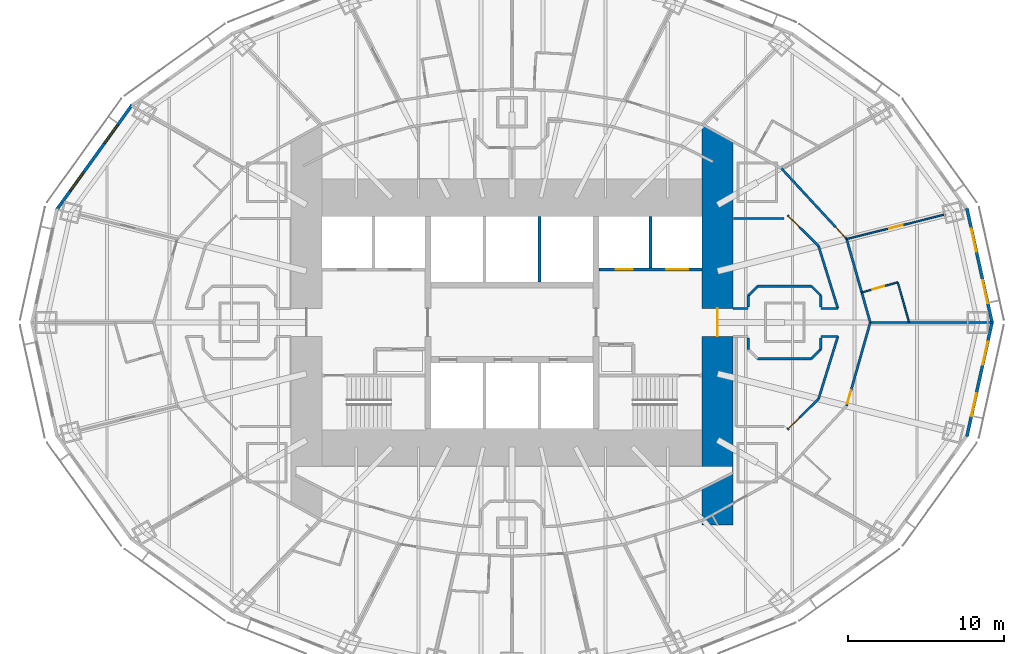
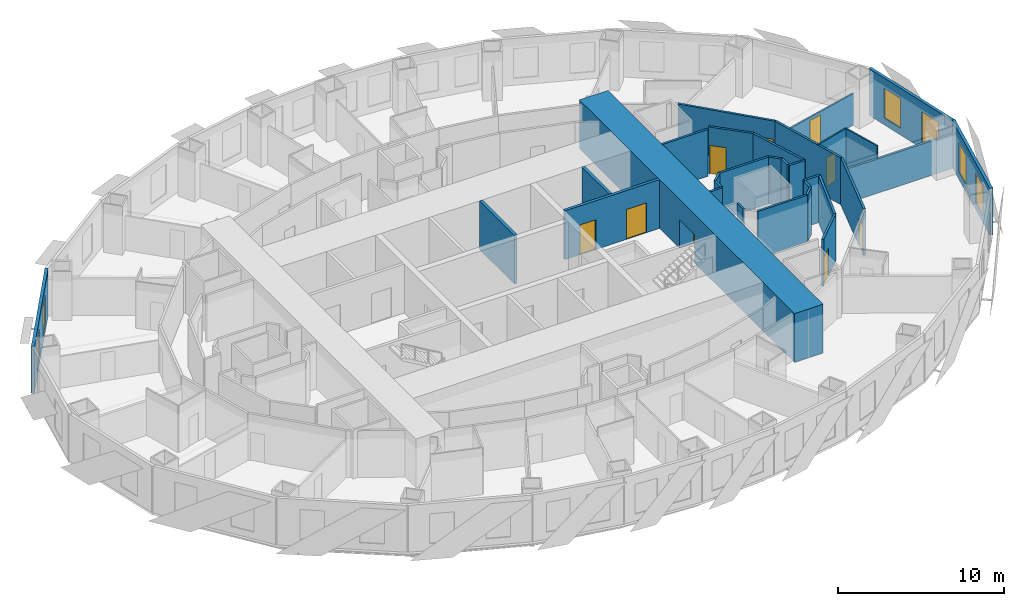
# One storey, part 8 of 15: 31 walls, 9 doors, 6 windows, 15 openings.
"""IFC4 building model written with IfcOpenShell, lengths in metres."""

import ifcopenshell
import ifcopenshell.guid

model = None  # the IFC model being written
_history = None  # IfcOwnerHistory: only IFC2X3 demands one
_inside = {}  # id of a spatial element -> (the spatial element, [elements in it])
_under = {}  # id of a project, library or spatial element -> (it, [spatial elements below it])
_declared = {}  # id of a project -> (the project, [libraries it declares])
_typed = {}  # id of a type object -> (the type object, [elements of that type])
_made_of = {}  # id of a material, layer set ... -> (it, [elements and type objects made of it])


def new_model(schema):
    """Start an empty IFC model of exactly this schema.

    Asked for "IFC4X3", IfcOpenShell would pick the latest addendum, in which some entities
    have other attributes; the version numbers below select the first issue.
    IFC2X3 requires an IfcOwnerHistory on every rooted entity: one is made here for all.
    """
    global model, _history
    if schema == "IFC4X3":
        model = ifcopenshell.file(schema_version=(4, 3, 0, 0))
    else:
        model = ifcopenshell.file(schema=schema)
    _inside.clear()
    _under.clear()
    _declared.clear()
    _typed.clear()
    _made_of.clear()
    _history = None
    if model.schema == "IFC2X3":
        org = make("IfcOrganization", Name="unknown")
        user = make(
            "IfcPersonAndOrganization",
            ThePerson=make("IfcPerson", FamilyName="unknown"),
            TheOrganization=org,
        )
        app = make(
            "IfcApplication",
            ApplicationDeveloper=org,
            Version="unknown",
            ApplicationFullName="unknown",
            ApplicationIdentifier="unknown",
        )
        _history = make(
            "IfcOwnerHistory",
            OwningUser=user,
            OwningApplication=app,
            ChangeAction="ADDED",
            CreationDate=0,
        )
    return model


def make(cls, **values):
    """One entity of the class cls with the attributes given. An attribute that is None is left unset."""
    return model.create_entity(
        cls, **{name: value for name, value in values.items() if value is not None}
    )


def rooted(cls, **values):
    """An entity with a GlobalId (a new one), such as an element, a storey or a relation."""
    return make(cls, GlobalId=ifcopenshell.guid.new(), OwnerHistory=_history, **values)


def si_unit(unit_type, name, prefix=None):
    """IfcSIUnit, for example si_unit("LENGTHUNIT", "METRE", prefix="MILLI")."""
    return make("IfcSIUnit", UnitType=unit_type, Prefix=prefix, Name=name)


def assignment(units):
    """IfcUnitAssignment: the units of a project."""
    return None if units is None else make("IfcUnitAssignment", Units=units)


def point(xyz):
    """IfcCartesianPoint."""
    return None if xyz is None else make("IfcCartesianPoint", Coordinates=xyz)


def direction(xyz):
    """IfcDirection."""
    return None if xyz is None else make("IfcDirection", DirectionRatios=xyz)


def frame(location, z_axis=None, x_axis=None):
    """IfcAxis2Placement3D, a coordinate frame: its origin and axes. An axis left out is left unset."""
    return make(
        "IfcAxis2Placement3D",
        Location=point(location),
        Axis=direction(z_axis),
        RefDirection=direction(x_axis),
    )


def frame_2d(location, x_axis=None):
    """IfcAxis2Placement2D, a coordinate frame in the plane: its origin and x axis."""
    return make(
        "IfcAxis2Placement2D", Location=point(location), RefDirection=direction(x_axis)
    )


def origin():
    """The frame at (0, 0, 0) with its axes left unset."""
    return frame((0.0, 0.0, 0.0))


def place(relative_to, where):
    """IfcLocalPlacement: puts the frame where relative to a parent placement (None: the world)."""
    return make(
        "IfcLocalPlacement", PlacementRelTo=relative_to, RelativePlacement=where
    )


def context(
    kind, dimensions, precision=None, world=None, true_north=None, identifier=None
):
    """IfcGeometricRepresentationContext, for example the 3D "Model" context."""
    return make(
        "IfcGeometricRepresentationContext",
        ContextIdentifier=identifier,
        ContextType=kind,
        CoordinateSpaceDimension=dimensions,
        Precision=precision,
        WorldCoordinateSystem=world,
        TrueNorth=true_north,
    )


def subcontext(parent, identifier, kind, view, scale=None):
    """IfcGeometricRepresentationSubContext, for example "Body" below "Model"."""
    return make(
        "IfcGeometricRepresentationSubContext",
        ContextIdentifier=identifier,
        ContextType=kind,
        ParentContext=parent,
        TargetScale=scale,
        TargetView=view,
    )


def project(units=None, contexts=None):
    """IfcProject with its units and contexts."""
    return rooted(
        "IfcProject",
        Name="project",
        RepresentationContexts=contexts,
        UnitsInContext=assignment(units),
    )


def spatial(cls, under=None, at=None, **own):
    """A site, building, storey or space (cls), placed at a placement, below another one or the project."""
    s = rooted(cls, ObjectPlacement=at, **own)
    if under is not None:
        _under.setdefault(under.id(), (under, []))[1].append(s)
    return s


def profile(cls, at=None, kind="AREA", **sizes):
    """A parametric profile (cls). Its sizes go by their IFC names, for example OverallWidth=200.0."""
    return make(cls, ProfileType=kind, Position=at, **sizes)


def rectangle(**sizes):
    """IfcRectangleProfileDef."""
    return profile("IfcRectangleProfileDef", **sizes)


def extrude(swept, where, along, depth):
    """IfcExtrudedAreaSolid: the profile swept, set in the frame where, extruded along a direction by depth."""
    return make(
        "IfcExtrudedAreaSolid",
        SweptArea=swept,
        Position=where,
        ExtrudedDirection=direction(along),
        Depth=depth,
    )


def shape(context_of_items, identifier, shape_type, items):
    """IfcShapeRepresentation: the items that make up one representation, for example the "Body"."""
    return make(
        "IfcShapeRepresentation",
        ContextOfItems=context_of_items,
        RepresentationIdentifier=identifier,
        RepresentationType=shape_type,
        Items=items,
    )


def material(Name=None, Category=None):
    """IfcMaterial."""
    return make("IfcMaterial", Name=Name, Category=Category)


def layer(
    of_material, thickness, ventilated=None, Name=None, Category=None, Priority=None
):
    """IfcMaterialLayer: one layer of a wall or slab, of a material (None: an air gap)."""
    return make(
        "IfcMaterialLayer",
        Material=of_material,
        LayerThickness=thickness,
        IsVentilated=ventilated,
        Name=Name,
        Category=Category,
        Priority=Priority,
    )


def layer_set(layers, Name=None):
    """IfcMaterialLayerSet."""
    return make("IfcMaterialLayerSet", MaterialLayers=layers, LayerSetName=Name)


def made_of(thing, what):
    """Note that an element or type object is made of a material, layer set ...; save() writes the relation."""
    if what is not None:
        _made_of.setdefault(what.id(), (what, []))[1].append(thing)
    return thing


def type_object(cls, material=None, **own):
    """A type object (cls), such as IfcWallType, which elements share."""
    return made_of(rooted(cls, **own), material)


def element(
    cls,
    number,
    at=None,
    inside=None,
    cuts=None,
    type_object=None,
    material=None,
    context=None,
    identifier="Body",
    shape_type=None,
    held_by="IfcProductDefinitionShape",
    body=None,
    shapes=None,
    **own,
):
    """One element of the class cls, such as IfcWall. Its Tag is "e" and its number.

    at: its placement. inside: the storey or other place that contains it. cuts: it is an
    opening in that element (IfcRelVoidsElement). A single representation is given by context,
    identifier, shape_type and body (its items); several are given by shapes. held_by: the class
    of the entity that holds the representations. save() writes the other relations.
    """
    e = rooted(cls, Tag="e%d" % number, ObjectPlacement=at, **own)
    if body is not None:
        shapes = [shape(context, identifier, shape_type, body)]
    if shapes is not None:
        e.Representation = make(held_by, Representations=shapes)
    if inside is not None:
        _inside.setdefault(inside.id(), (inside, []))[1].append(e)
    if cuts is not None:
        rooted(
            "IfcRelVoidsElement", RelatingBuildingElement=cuts, RelatedOpeningElement=e
        )
    if type_object is not None:
        _typed.setdefault(type_object.id(), (type_object, []))[1].append(e)
    return made_of(e, material)


def fill(opening, filler):
    """IfcRelFillsElement: the door or window that sits in an opening."""
    return rooted(
        "IfcRelFillsElement",
        RelatingOpeningElement=opening,
        RelatedBuildingElement=filler,
    )


def aggregate(whole, parts):
    """IfcRelAggregates: a whole, such as a stair, and the parts it consists of."""
    return rooted("IfcRelAggregates", RelatingObject=whole, RelatedObjects=parts)


def save(model, path):
    """Write the relations noted so far, then the file.

    IfcRelAggregates (storeys below a building ...), IfcRelContainedInSpatialStructure (elements
    in a storey), IfcRelDefinesByType, IfcRelAssociatesMaterial and IfcRelDeclares: one each for
    every whole, place, type object, material and project.
    """
    for whole, parts in _under.values():
        aggregate(whole, parts)
    for where, things in _inside.values():
        rooted(
            "IfcRelContainedInSpatialStructure",
            RelatedElements=things,
            RelatingStructure=where,
        )
    for kind, things in _typed.values():
        rooted("IfcRelDefinesByType", RelatedObjects=things, RelatingType=kind)
    for what, things in _made_of.values():
        rooted("IfcRelAssociatesMaterial", RelatedObjects=things, RelatingMaterial=what)
    for by, libraries in _declared.values():
        rooted("IfcRelDeclares", RelatingContext=by, RelatedDefinitions=libraries)
    model.write(path)


model = new_model("IFC4")

# Units and contexts
model_context = context("Model", 3, precision=1e-05, world=origin(), true_north=direction((0.0, 1.0)))
body_context = subcontext(model_context, "Body", "Model", "MODEL_VIEW")
ifc_project = project(units=[si_unit("LENGTHUNIT", "METRE"), si_unit("AREAUNIT", "SQUARE_METRE"), si_unit("VOLUMEUNIT", "CUBIC_METRE"), si_unit("PLANEANGLEUNIT", "RADIAN"), si_unit("MASSUNIT", "GRAM", prefix="KILO")], contexts=[model_context])

# Site, building, storey
site_placement = place(None, origin())
site = spatial("IfcSite", under=ifc_project, at=site_placement, CompositionType="ELEMENT")
building_placement = place(site_placement, origin())
building = spatial("IfcBuilding", under=site, at=building_placement, Name="Lantaw Convention Tower", CompositionType="ELEMENT")
storey_placement = place(building_placement, frame((0.0, 0.0, 98.199951171875)))
storey = spatial("IfcBuildingStorey", under=building, at=storey_placement, Name="L23", CompositionType="ELEMENT", Elevation=98.199951171875)

# Wall, opening, door
ifc_material_1 = material(Name="Moisture resistant gypsum board on steel studs", Category="steel")
ifc_layer_1 = layer(ifc_material_1, 0.10009765625)
ifc_layer_set_1 = layer_set([ifc_layer_1], Name="Bathroom wall 100")
wall_type_1 = type_object("IfcWallType", Name="Bathroom wall 100", PredefinedType="PARTITIONING", material=ifc_layer_set_1)
wall_1_placement = place(storey_placement, frame((22.455078125, 1.92431640625, 0.0), z_axis=(0.0, 0.0, 1.0), x_axis=(0.962181399457, 0.272409534596, 0.0)))
wall_1 = element("IfcWall", 1, at=wall_1_placement, inside=storey, type_object=wall_type_1, Name="Bathroom wall 100", PredefinedType="PARTITIONING", context=body_context, shape_type="SweptSolid", body=[
    extrude(rectangle(XDim=2.400146484375, YDim=0.10009765625, at=frame_2d((1.2001953125, 0.0))), origin(), (0.0, 0.0, 1.0), 3.449951171875),
])
opening_1_placement = place(wall_1_placement, frame((0.699951171875, 0.0, 0.0)))
opening_1 = element("IfcOpeningElement", 2, at=opening_1_placement, cuts=wall_1, Name="Opening L23.26", PredefinedType="OPENING", context=body_context, shape_type="SweptSolid", body=[
    extrude(rectangle(XDim=0.800048828125, YDim=2.10009765625, at=frame_2d((0.39990234375, 1.050048828125))), frame((0.0, 0.06005859375, 0.0), z_axis=(0.0, -1.0, 0.0), x_axis=(1.0, 0.0, 0.0)), (0.0, 0.0, 1.0), 0.1201171875),
])
ifc_material_2 = material(Name="Timber", Category="wood")
door_type_1 = type_object("IfcDoorType", Name="Bathroom door 800", OperationType="SINGLE_SWING_LEFT", PredefinedType="DOOR", material=ifc_material_2)
door_1_placement = place(opening_1_placement, origin())
door_1 = element("IfcDoor", 3, at=door_1_placement, inside=storey, type_object=door_type_1, Name="Bathroom door", OperationType="SINGLE_SWING_LEFT", OverallHeight=2.10009765625, OverallWidth=0.800048828125, PredefinedType="DOOR", context=body_context, shape_type="SweptSolid", body=[
    extrude(rectangle(XDim=0.800048828125, YDim=2.10009765625, at=frame_2d((0.39990234375, 1.050048828125))), frame((0.0, 0.02490234375, 0.0), z_axis=(0.0, -1.0, 0.0), x_axis=(1.0, 0.0, 0.0)), (0.0, 0.0, 1.0), 0.050048828125),
])
fill(opening_1, door_1)

# Wall
wall_2_placement = place(storey_placement, frame((24.764404296875, 2.578125, 0.0), z_axis=(0.0, 0.0, 1.0), x_axis=(0.272433880153, -0.962174506493, 0.0)))
element("IfcWall", 4, at=wall_2_placement, inside=storey, type_object=wall_type_1, Name="Bathroom wall 100", PredefinedType="PARTITIONING", context=body_context, shape_type="SweptSolid", body=[
    extrude(rectangle(XDim=2.679443359375, YDim=0.10009765625, at=frame_2d((1.33984375, 0.0))), origin(), (0.0, 0.0, 1.0), 3.449951171875),
])

# Wall, opening, door
ifc_material_3 = material(Name="Concrete C60/75", Category="concrete")
ifc_layer_2 = layer(ifc_material_3, 2.0)
ifc_layer_set_2 = layer_set([ifc_layer_2], Name="Core wall 2000")
wall_type_2 = type_object("IfcWallType", Name="Core wall 2000", PredefinedType="SHEAR", material=ifc_layer_set_2)
wall_3_placement = place(storey_placement, frame((13.199951171875, -13.0, 0.0), z_axis=(0.0, 0.0, 1.0), x_axis=(0.0, 1.0, 0.0)))
wall_3 = element("IfcWall", 5, at=wall_3_placement, inside=storey, type_object=wall_type_2, Name="Core wall E", PredefinedType="SHEAR", context=body_context, shape_type="SweptSolid", body=[
    extrude(rectangle(XDim=26.0, YDim=2.0, at=frame_2d((13.0, 0.0))), origin(), (0.0, 0.0, 1.0), 3.60009765625),
])
opening_2_placement = place(wall_3_placement, frame((12.10009765625, 0.0, 0.0)))
opening_2 = element("IfcOpeningElement", 6, at=opening_2_placement, cuts=wall_3, Name="Opening L23.07", PredefinedType="OPENING", context=body_context, shape_type="SweptSolid", body=[
    extrude(rectangle(XDim=1.800048828125, YDim=2.10009765625, at=frame_2d((0.89990234375, 1.050048828125))), frame((0.0, 1.010009765625, 0.0), z_axis=(0.0, -1.0, 0.0), x_axis=(1.0, 0.0, 0.0)), (0.0, 0.0, 1.0), 2.02001953125),
])
ifc_material_4 = material(Name="Steel, fire rated", Category="steel")
door_type_2 = type_object("IfcDoorType", Name="Lobby double door FD90", OperationType="DOUBLE_DOOR_DOUBLE_SWING", PredefinedType="DOOR", material=ifc_material_4)
door_2_placement = place(opening_2_placement, origin())
door_2 = element("IfcDoor", 7, at=door_2_placement, inside=storey, type_object=door_type_2, Name="Firefighting lobby door", OperationType="DOUBLE_DOOR_DOUBLE_SWING", OverallHeight=2.10009765625, OverallWidth=1.800048828125, PredefinedType="DOOR", context=body_context, shape_type="SweptSolid", body=[
    extrude(rectangle(XDim=1.800048828125, YDim=2.10009765625, at=frame_2d((0.89990234375, 1.050048828125))), frame((0.0, 0.02490234375, 0.0), z_axis=(0.0, -1.0, 0.0), x_axis=(1.0, 0.0, 0.0)), (0.0, 0.0, 1.0), 0.050048828125),
])
fill(opening_2, door_2)

# Wall
ifc_material_5 = material(Name="Gypsum board on steel studs, fire rated", Category="steel")
ifc_layer_3 = layer(ifc_material_5, 0.14990234375)
ifc_layer_set_3 = layer_set([ifc_layer_3], Name="Corridor wall 150 EI 60")
wall_type_3 = type_object("IfcWallType", Name="Corridor wall 150 EI 60", PredefinedType="PARTITIONING", material=ifc_layer_set_3)
wall_4_placement = place(storey_placement, frame((23.0, 0.0, 0.0), z_axis=(0.0, 0.0, 1.0), x_axis=(-0.272386051236, 0.962188047677, 0.0)))
element("IfcWall", 8, at=wall_4_placement, inside=storey, type_object=wall_type_3, Name="Corridor wall 150", PredefinedType="PARTITIONING", context=body_context, shape_type="SweptSolid", body=[
    extrude(rectangle(XDim=5.56689453125, YDim=0.14990234375, at=frame_2d((2.783447265625, 0.0))), origin(), (0.0, 0.0, 1.0), 3.449951171875),
])

# Wall, opening, door
wall_5_placement = place(storey_placement, frame((21.483642578125, 5.3564453125, 0.0), z_axis=(0.0, 0.0, 1.0), x_axis=(-0.678641806296, 0.734469399463, 0.0)))
wall_5 = element("IfcWall", 9, at=wall_5_placement, inside=storey, type_object=wall_type_3, Name="Corridor wall 150", PredefinedType="PARTITIONING", context=body_context, shape_type="SweptSolid", body=[
    extrude(rectangle(XDim=6.166015625, YDim=0.14990234375, at=frame_2d((3.0830078125, 0.0))), origin(), (0.0, 0.0, 1.0), 3.449951171875),
])
opening_3_placement = place(wall_5_placement, frame((0.14990234375, 0.0, 0.0)))
opening_3 = element("IfcOpeningElement", 10, at=opening_3_placement, cuts=wall_5, Name="Opening L23.28", PredefinedType="OPENING", context=body_context, shape_type="SweptSolid", body=[
    extrude(rectangle(XDim=0.89990234375, YDim=2.10009765625, at=frame_2d((0.449951171875, 1.050048828125))), frame((0.0, 0.0849609375, 0.0), z_axis=(0.0, -1.0, 0.0), x_axis=(1.0, 0.0, 0.0)), (0.0, 0.0, 1.0), 0.169921875),
])
door_type_3 = type_object("IfcDoorType", Name="Guest room entrance door FD30S", OperationType="SINGLE_SWING_LEFT", PredefinedType="DOOR", material=ifc_material_4)
door_3_placement = place(opening_3_placement, origin())
door_3 = element("IfcDoor", 11, at=door_3_placement, inside=storey, type_object=door_type_3, Name="Suite entrance door", OperationType="SINGLE_SWING_LEFT", OverallHeight=2.10009765625, OverallWidth=0.89990234375, PredefinedType="DOOR", context=body_context, shape_type="SweptSolid", body=[
    extrude(rectangle(XDim=0.89990234375, YDim=2.10009765625, at=frame_2d((0.449951171875, 1.050048828125))), frame((0.0, 0.02490234375, 0.0), z_axis=(0.0, -1.0, 0.0), x_axis=(1.0, 0.0, 0.0)), (0.0, 0.0, 1.0), 0.050048828125),
])
fill(opening_3, door_3)

wall_6_placement = place(storey_placement, frame((21.483642578125, -5.3564453125, 0.0), z_axis=(0.0, 0.0, 1.0), x_axis=(0.272386051236, 0.962188047677, 0.0)))
wall_6 = element("IfcWall", 12, at=wall_6_placement, inside=storey, type_object=wall_type_3, Name="Corridor wall 150", PredefinedType="PARTITIONING", context=body_context, shape_type="SweptSolid", body=[
    extrude(rectangle(XDim=5.56689453125, YDim=0.14990234375, at=frame_2d((2.783447265625, 0.0))), origin(), (0.0, 0.0, 1.0), 3.449951171875),
])
opening_4_placement = place(wall_6_placement, frame((0.14990234375, 0.0, 0.0)))
opening_4 = element("IfcOpeningElement", 13, at=opening_4_placement, cuts=wall_6, Name="Opening L23.57", PredefinedType="OPENING", context=body_context, shape_type="SweptSolid", body=[
    extrude(rectangle(XDim=0.89990234375, YDim=2.10009765625, at=frame_2d((0.449951171875, 1.050048828125))), frame((0.0, 0.0849609375, 0.0), z_axis=(0.0, -1.0, 0.0), x_axis=(1.0, 0.0, 0.0)), (0.0, 0.0, 1.0), 0.169921875),
])
door_4_placement = place(opening_4_placement, origin())
door_4 = element("IfcDoor", 14, at=door_4_placement, inside=storey, type_object=door_type_3, Name="Junior suite entrance door", OperationType="SINGLE_SWING_LEFT", OverallHeight=2.10009765625, OverallWidth=0.89990234375, PredefinedType="DOOR", context=body_context, shape_type="SweptSolid", body=[
    extrude(rectangle(XDim=0.89990234375, YDim=2.10009765625, at=frame_2d((0.449951171875, 1.050048828125))), frame((0.0, 0.02490234375, 0.0), z_axis=(0.0, -1.0, 0.0), x_axis=(1.0, 0.0, 0.0)), (0.0, 0.0, 1.0), 0.050048828125),
])
fill(opening_4, door_4)

# Walls
for number, where, z_axis, x_axis, name in (
    (15, (20.92138671875, 0.89990234375, 0.0), (0.0, 0.0, 1.0), (-0.295778570807, 0.955256529447, 0.0), "Corridor wall 150"),
    (16, (19.6806640625, -4.906982421875, 0.0), (0.0, 0.0, 1.0), (0.295778570807, 0.955256529447, 0.0), "Corridor wall 150"),
):
    element("IfcWall", number, at=place(storey_placement, frame(where, z_axis=z_axis, x_axis=x_axis)), inside=storey, type_object=wall_type_3, Name=name, PredefinedType="PARTITIONING", context=body_context, shape_type="SweptSolid", body=[
        extrude(rectangle(XDim=4.19482421875, YDim=0.14990234375, at=frame_2d((2.097412109375, 0.0))), origin(), (0.0, 0.0, 1.0), 3.449951171875),
    ])

# Wall, opening, door
wall_7_placement = place(storey_placement, frame((17.690185546875, -6.87646484375, 0.0), z_axis=(0.0, 0.0, 1.0), x_axis=(0.710845937688, 0.70334774676, 0.0)))
wall_7 = element("IfcWall", 17, at=wall_7_placement, inside=storey, type_object=wall_type_3, Name="Corridor wall 150", PredefinedType="PARTITIONING", context=body_context, shape_type="SweptSolid", body=[
    extrude(rectangle(XDim=2.800048828125, YDim=0.14990234375, at=frame_2d((1.39990234375, 0.0))), origin(), (0.0, 0.0, 1.0), 3.449951171875),
])
opening_5_placement = place(wall_7_placement, frame((0.10009765625, 0.0, 0.0)))
opening_5 = element("IfcOpeningElement", 18, at=opening_5_placement, cuts=wall_7, Name="Opening L23.25", PredefinedType="OPENING", context=body_context, shape_type="SweptSolid", body=[
    extrude(rectangle(XDim=1.0, YDim=2.10009765625, at=frame_2d((0.5, 1.050048828125))), frame((0.0, 0.0849609375, 0.0), z_axis=(0.0, -1.0, 0.0), x_axis=(1.0, 0.0, 0.0)), (0.0, 0.0, 1.0), 0.169921875),
])
door_type_4 = type_object("IfcDoorType", Name="Service door 1000 FD30", OperationType="SINGLE_SWING_LEFT", PredefinedType="DOOR", material=ifc_material_4)
door_5_placement = place(opening_5_placement, origin())
door_5 = element("IfcDoor", 19, at=door_5_placement, inside=storey, type_object=door_type_4, Name="Room service pantry door", OperationType="SINGLE_SWING_LEFT", OverallHeight=2.10009765625, OverallWidth=1.0, PredefinedType="DOOR", context=body_context, shape_type="SweptSolid", body=[
    extrude(rectangle(XDim=1.0, YDim=2.10009765625, at=frame_2d((0.5, 1.050048828125))), frame((0.0, 0.02490234375, 0.0), z_axis=(0.0, -1.0, 0.0), x_axis=(1.0, 0.0, 0.0)), (0.0, 0.0, 1.0), 0.050048828125),
])
fill(opening_5, door_5)

wall_8_placement = place(storey_placement, frame((19.6806640625, 4.906982421875, 0.0), z_axis=(0.0, 0.0, 1.0), x_axis=(-0.710845937688, 0.70334774676, 0.0)))
wall_8 = element("IfcWall", 20, at=wall_8_placement, inside=storey, type_object=wall_type_3, Name="Corridor wall 150", PredefinedType="PARTITIONING", context=body_context, shape_type="SweptSolid", body=[
    extrude(rectangle(XDim=2.800048828125, YDim=0.14990234375, at=frame_2d((1.39990234375, 0.0))), origin(), (0.0, 0.0, 1.0), 3.449951171875),
])
opening_6_placement = place(wall_8_placement, frame((1.699951171875, 0.0, 0.0)))
opening_6 = element("IfcOpeningElement", 21, at=opening_6_placement, cuts=wall_8, Name="Opening L23.17", PredefinedType="OPENING", context=body_context, shape_type="SweptSolid", body=[
    extrude(rectangle(XDim=1.0, YDim=2.10009765625, at=frame_2d((0.5, 1.050048828125))), frame((0.0, 0.0849609375, 0.0), z_axis=(0.0, -1.0, 0.0), x_axis=(1.0, 0.0, 0.0)), (0.0, 0.0, 1.0), 0.169921875),
])
door_6_placement = place(opening_6_placement, origin())
door_6 = element("IfcDoor", 22, at=door_6_placement, inside=storey, type_object=door_type_4, Name="Linen store door", OperationType="SINGLE_SWING_LEFT", OverallHeight=2.10009765625, OverallWidth=1.0, PredefinedType="DOOR", context=body_context, shape_type="SweptSolid", body=[
    extrude(rectangle(XDim=1.0, YDim=2.10009765625, at=frame_2d((0.5, 1.050048828125))), frame((0.0, 0.02490234375, 0.0), z_axis=(0.0, -1.0, 0.0), x_axis=(1.0, 0.0, 0.0)), (0.0, 0.0, 1.0), 0.050048828125),
])
fill(opening_6, door_6)

# Walls
wall_9_placement = place(storey_placement, frame((17.474609375, 6.675048828125, 0.0), z_axis=(0.0, 0.0, 1.0), x_axis=(-1.0, 0.0, 0.0)))
element("IfcWall", 23, at=wall_9_placement, inside=storey, type_object=wall_type_3, Name="Corridor wall 150", PredefinedType="PARTITIONING", context=body_context, shape_type="SweptSolid", body=[
    extrude(rectangle(XDim=3.24462890625, YDim=0.14990234375, at=frame_2d((1.622314453125, 0.0))), origin(), (0.0, 0.0, 1.0), 3.449951171875),
])
wall_10_placement = place(storey_placement, frame((19.8349609375, -0.89990234375, 0.0), z_axis=(0.0, 0.0, 1.0), x_axis=(1.0, 0.0, 0.0)))
element("IfcWall", 24, at=wall_10_placement, inside=storey, type_object=wall_type_3, Name="Corridor wall 150", PredefinedType="PARTITIONING", context=body_context, shape_type="SweptSolid", body=[
    extrude(rectangle(XDim=1.08642578125, YDim=0.14990234375, at=frame_2d((0.543212890625, 0.0))), origin(), (0.0, 0.0, 1.0), 3.449951171875),
])
wall_11_placement = place(storey_placement, frame((14.199951171875, 0.89990234375, 0.0), z_axis=(0.0, 0.0, 1.0), x_axis=(1.0, 0.0, 0.0)))
element("IfcWall", 25, at=wall_11_placement, inside=storey, type_object=wall_type_3, Name="Corridor wall 150", PredefinedType="PARTITIONING", context=body_context, shape_type="SweptSolid", body=[
    extrude(rectangle(XDim=0.965087890625, YDim=0.14990234375, at=frame_2d((0.482421875, 0.0))), origin(), (0.0, 0.0, 1.0), 3.449951171875),
])
wall_12_placement = place(storey_placement, frame((19.8349609375, 0.89990234375, 0.0), z_axis=(0.0, 0.0, 1.0), x_axis=(1.0, 0.0, 0.0)))
element("IfcWall", 26, at=wall_12_placement, inside=storey, type_object=wall_type_3, Name="Corridor wall 150", PredefinedType="PARTITIONING", context=body_context, shape_type="SweptSolid", body=[
    extrude(rectangle(XDim=1.08642578125, YDim=0.14990234375, at=frame_2d((0.543212890625, 0.0))), origin(), (0.0, 0.0, 1.0), 3.449951171875),
])
wall_13_placement = place(storey_placement, frame((15.175048828125, 1.003173828125, 0.0), z_axis=(0.0, 0.0, 1.0), x_axis=(0.0, 1.0, 0.0)))
element("IfcWall", 27, at=wall_13_placement, inside=storey, type_object=wall_type_3, Name="Corridor wall 150", PredefinedType="PARTITIONING", context=body_context, shape_type="SweptSolid", body=[
    extrude(rectangle(XDim=0.721435546875, YDim=0.14990234375, at=frame_2d((0.36083984375, 0.0))), origin(), (0.0, 0.0, 1.0), 3.449951171875),
])
wall_14_placement = place(storey_placement, frame((15.175048828125, 1.724609375, 0.0), z_axis=(0.0, 0.0, 1.0), x_axis=(0.707106781187, 0.707106781187, 0.0)))
element("IfcWall", 28, at=wall_14_placement, inside=storey, type_object=wall_type_3, Name="Corridor wall 150", PredefinedType="PARTITIONING", context=body_context, shape_type="SweptSolid", body=[
    extrude(rectangle(XDim=0.84912109375, YDim=0.14990234375, at=frame_2d((0.424560546875, 0.0))), origin(), (0.0, 0.0, 1.0), 3.449951171875),
])
wall_15_placement = place(storey_placement, frame((15.775390625, 2.324951171875, 0.0), z_axis=(0.0, 0.0, 1.0), x_axis=(1.0, 0.0, 0.0)))
element("IfcWall", 29, at=wall_15_placement, inside=storey, type_object=wall_type_3, Name="Corridor wall 150", PredefinedType="PARTITIONING", context=body_context, shape_type="SweptSolid", body=[
    extrude(rectangle(XDim=3.44921875, YDim=0.14990234375, at=frame_2d((1.724609375, 0.0))), origin(), (0.0, 0.0, 1.0), 3.449951171875),
])
wall_16_placement = place(storey_placement, frame((19.224609375, 2.324951171875, 0.0), z_axis=(0.0, 0.0, 1.0), x_axis=(0.707106781187, -0.707106781187, 0.0)))
element("IfcWall", 30, at=wall_16_placement, inside=storey, type_object=wall_type_3, Name="Corridor wall 150", PredefinedType="PARTITIONING", context=body_context, shape_type="SweptSolid", body=[
    extrude(rectangle(XDim=0.84912109375, YDim=0.14990234375, at=frame_2d((0.424560546875, 0.0))), origin(), (0.0, 0.0, 1.0), 3.449951171875),
])
for number, where, z_axis, x_axis, name in (
    (31, (19.824951171875, 1.724609375, 0.0), (0.0, 0.0, 1.0), (0.0, -1.0, 0.0), "Corridor wall 150"),
    (32, (15.175048828125, -1.724609375, 0.0), (0.0, 0.0, 1.0), (0.0, 1.0, 0.0), "Corridor wall 150"),
    (33, (19.824951171875, -1.003173828125, 0.0), (0.0, 0.0, 1.0), (0.0, -1.0, 0.0), "Corridor wall 150"),
):
    element("IfcWall", number, at=place(storey_placement, frame(where, z_axis=z_axis, x_axis=x_axis)), inside=storey, type_object=wall_type_3, Name=name, PredefinedType="PARTITIONING", context=body_context, shape_type="SweptSolid", body=[
        extrude(rectangle(XDim=0.721435546875, YDim=0.14990234375, at=frame_2d((0.36083984375, 0.0))), origin(), (0.0, 0.0, 1.0), 3.449951171875),
    ])
wall_17_placement = place(storey_placement, frame((19.824951171875, -1.724609375, 0.0), z_axis=(0.0, 0.0, 1.0), x_axis=(-0.707106781187, -0.707106781187, 0.0)))
element("IfcWall", 34, at=wall_17_placement, inside=storey, type_object=wall_type_3, Name="Corridor wall 150", PredefinedType="PARTITIONING", context=body_context, shape_type="SweptSolid", body=[
    extrude(rectangle(XDim=0.84912109375, YDim=0.14990234375, at=frame_2d((0.424560546875, 0.0))), origin(), (0.0, 0.0, 1.0), 3.449951171875),
])
wall_18_placement = place(storey_placement, frame((19.224609375, -2.324951171875, 0.0), z_axis=(0.0, 0.0, 1.0), x_axis=(-1.0, 0.0, 0.0)))
element("IfcWall", 35, at=wall_18_placement, inside=storey, type_object=wall_type_3, Name="Corridor wall 150", PredefinedType="PARTITIONING", context=body_context, shape_type="SweptSolid", body=[
    extrude(rectangle(XDim=3.44921875, YDim=0.14990234375, at=frame_2d((1.724609375, 0.0))), origin(), (0.0, 0.0, 1.0), 3.449951171875),
])

# Wall, openings, windows
ifc_material_6 = material(Name="Insulated aluminium panel on steel frame", Category="steel")
ifc_layer_4 = layer(ifc_material_6, 0.199951171875)
ifc_layer_set_4 = layer_set([ifc_layer_4], Name="External wall 200")
wall_type_4 = type_object("IfcWallType", Name="External wall 200", PredefinedType="SOLIDWALL", material=ifc_layer_set_4)
wall_19_placement = place(storey_placement, frame((30.83544921875, -0.06689453125, 0.0), z_axis=(0.0, 0.0, 1.0), x_axis=(-0.215238065514, 0.976561608478, 0.0)))
wall_19 = element("IfcWall", 36, at=wall_19_placement, inside=storey, type_object=wall_type_4, Name="Facade panel wall", PredefinedType="SOLIDWALL", context=body_context, shape_type="SweptSolid", body=[
    extrude(rectangle(XDim=7.562255859375, YDim=0.199951171875, at=frame_2d((3.78125, 0.0))), origin(), (0.0, 0.0, 1.0), 3.449951171875),
])
opening_7_placement = place(wall_19_placement, frame((1.340576171875, 0.0, 0.5)))
opening_7 = element("IfcOpeningElement", 37, at=opening_7_placement, cuts=wall_19, Name="Opening W2", PredefinedType="OPENING", context=body_context, shape_type="SweptSolid", body=[
    extrude(rectangle(XDim=1.5, YDim=2.199951171875, at=frame_2d((0.75, 1.10009765625))), frame((0.0, 0.10986328125, 0.0), z_axis=(0.0, -1.0, 0.0), x_axis=(1.0, 0.0, 0.0)), (0.0, 0.0, 1.0), 0.219970703125),
])
opening_8_placement = place(wall_19_placement, frame((4.7216796875, 0.0, 0.5)))
opening_8 = element("IfcOpeningElement", 38, at=opening_8_placement, cuts=wall_19, Name="Opening W2", PredefinedType="OPENING", context=body_context, shape_type="SweptSolid", body=[
    extrude(rectangle(XDim=1.5, YDim=2.199951171875, at=frame_2d((0.75, 1.10009765625))), frame((0.0, 0.10986328125, 0.0), z_axis=(0.0, -1.0, 0.0), x_axis=(1.0, 0.0, 0.0)), (0.0, 0.0, 1.0), 0.219970703125),
])
ifc_material_7 = material(Name="Aluminium frame, clear insulating glass", Category="aluminium")
window_type = type_object("IfcWindowType", Name="Suite window 1500x2200", PartitioningType="SINGLE_PANEL", PredefinedType="WINDOW", material=ifc_material_7)
window_1_placement = place(opening_7_placement, origin())
window_1 = element("IfcWindow", 39, at=window_1_placement, inside=storey, type_object=window_type, Name="Guest room window", OverallHeight=2.199951171875, OverallWidth=1.5, PartitioningType="SINGLE_PANEL", PredefinedType="WINDOW", context=body_context, shape_type="SweptSolid", body=[
    extrude(rectangle(XDim=1.5, YDim=2.199951171875, at=frame_2d((0.75, 1.10009765625))), frame((0.0, 0.030029296875, 0.0), z_axis=(0.0, -1.0, 0.0), x_axis=(1.0, 0.0, 0.0)), (0.0, 0.0, 1.0), 0.06005859375),
])
fill(opening_7, window_1)
window_2_placement = place(opening_8_placement, origin())
window_2 = element("IfcWindow", 40, at=window_2_placement, inside=storey, type_object=window_type, Name="Guest room window", OverallHeight=2.199951171875, OverallWidth=1.5, PartitioningType="SINGLE_PANEL", PredefinedType="WINDOW", context=body_context, shape_type="SweptSolid", body=[
    extrude(rectangle(XDim=1.5, YDim=2.199951171875, at=frame_2d((0.75, 1.10009765625))), frame((0.0, 0.030029296875, 0.0), z_axis=(0.0, -1.0, 0.0), x_axis=(1.0, 0.0, 0.0)), (0.0, 0.0, 1.0), 0.06005859375),
])
fill(opening_8, window_2)

wall_20_placement = place(storey_placement, frame((-24.400390625, 13.95654296875, 0.0), z_axis=(0.0, 0.0, 1.0), x_axis=(-0.583937613703, -0.811798536155, 0.0)))
wall_20 = element("IfcWall", 41, at=wall_20_placement, inside=storey, type_object=wall_type_4, Name="Facade panel wall", PredefinedType="SOLIDWALL", context=body_context, shape_type="SweptSolid", body=[
    extrude(rectangle(XDim=8.322998046875, YDim=0.199951171875, at=frame_2d((4.16162109375, 0.0))), origin(), (0.0, 0.0, 1.0), 3.449951171875),
])
opening_9_placement = place(wall_20_placement, frame((1.53076171875, 0.0, 0.5)))
opening_9 = element("IfcOpeningElement", 42, at=opening_9_placement, cuts=wall_20, Name="Opening W2", PredefinedType="OPENING", context=body_context, shape_type="SweptSolid", body=[
    extrude(rectangle(XDim=1.5, YDim=2.199951171875, at=frame_2d((0.75, 1.10009765625))), frame((0.0, 0.10986328125, 0.0), z_axis=(0.0, -1.0, 0.0), x_axis=(1.0, 0.0, 0.0)), (0.0, 0.0, 1.0), 0.219970703125),
])
opening_10_placement = place(wall_20_placement, frame((5.292236328125, 0.0, 0.5)))
opening_10 = element("IfcOpeningElement", 43, at=opening_10_placement, cuts=wall_20, Name="Opening W2", PredefinedType="OPENING", context=body_context, shape_type="SweptSolid", body=[
    extrude(rectangle(XDim=1.5, YDim=2.199951171875, at=frame_2d((0.75, 1.10009765625))), frame((0.0, 0.10986328125, 0.0), z_axis=(0.0, -1.0, 0.0), x_axis=(1.0, 0.0, 0.0)), (0.0, 0.0, 1.0), 0.219970703125),
])
window_3_placement = place(opening_9_placement, origin())
window_3 = element("IfcWindow", 44, at=window_3_placement, inside=storey, type_object=window_type, Name="Guest room window", OverallHeight=2.199951171875, OverallWidth=1.5, PartitioningType="SINGLE_PANEL", PredefinedType="WINDOW", context=body_context, shape_type="SweptSolid", body=[
    extrude(rectangle(XDim=1.5, YDim=2.199951171875, at=frame_2d((0.75, 1.10009765625))), frame((0.0, 0.030029296875, 0.0), z_axis=(0.0, -1.0, 0.0), x_axis=(1.0, 0.0, 0.0)), (0.0, 0.0, 1.0), 0.06005859375),
])
fill(opening_9, window_3)
window_4_placement = place(opening_10_placement, origin())
window_4 = element("IfcWindow", 45, at=window_4_placement, inside=storey, type_object=window_type, Name="Guest room window", OverallHeight=2.199951171875, OverallWidth=1.5, PartitioningType="SINGLE_PANEL", PredefinedType="WINDOW", context=body_context, shape_type="SweptSolid", body=[
    extrude(rectangle(XDim=1.5, YDim=2.199951171875, at=frame_2d((0.75, 1.10009765625))), frame((0.0, 0.030029296875, 0.0), z_axis=(0.0, -1.0, 0.0), x_axis=(1.0, 0.0, 0.0)), (0.0, 0.0, 1.0), 0.06005859375),
])
fill(opening_10, window_4)

wall_21_placement = place(storey_placement, frame((29.207763671875, -7.318115234375, 0.0), z_axis=(0.0, 0.0, 1.0), x_axis=(0.215238065514, 0.976561608478, 0.0)))
wall_21 = element("IfcWall", 46, at=wall_21_placement, inside=storey, type_object=wall_type_4, Name="Facade panel wall", PredefinedType="SOLIDWALL", context=body_context, shape_type="SweptSolid", body=[
    extrude(rectangle(XDim=7.562255859375, YDim=0.199951171875, at=frame_2d((3.78125, 0.0))), origin(), (0.0, 0.0, 1.0), 3.449951171875),
])
opening_11_placement = place(wall_21_placement, frame((1.340576171875, 0.0, 0.5)))
opening_11 = element("IfcOpeningElement", 47, at=opening_11_placement, cuts=wall_21, Name="Opening W2", PredefinedType="OPENING", context=body_context, shape_type="SweptSolid", body=[
    extrude(rectangle(XDim=1.5, YDim=2.199951171875, at=frame_2d((0.75, 1.10009765625))), frame((0.0, 0.10986328125, 0.0), z_axis=(0.0, -1.0, 0.0), x_axis=(1.0, 0.0, 0.0)), (0.0, 0.0, 1.0), 0.219970703125),
])
opening_12_placement = place(wall_21_placement, frame((4.7216796875, 0.0, 0.5)))
opening_12 = element("IfcOpeningElement", 48, at=opening_12_placement, cuts=wall_21, Name="Opening W2", PredefinedType="OPENING", context=body_context, shape_type="SweptSolid", body=[
    extrude(rectangle(XDim=1.5, YDim=2.199951171875, at=frame_2d((0.75, 1.10009765625))), frame((0.0, 0.10986328125, 0.0), z_axis=(0.0, -1.0, 0.0), x_axis=(1.0, 0.0, 0.0)), (0.0, 0.0, 1.0), 0.219970703125),
])
window_5_placement = place(opening_11_placement, origin())
window_5 = element("IfcWindow", 49, at=window_5_placement, inside=storey, type_object=window_type, Name="Guest room window", OverallHeight=2.199951171875, OverallWidth=1.5, PartitioningType="SINGLE_PANEL", PredefinedType="WINDOW", context=body_context, shape_type="SweptSolid", body=[
    extrude(rectangle(XDim=1.5, YDim=2.199951171875, at=frame_2d((0.75, 1.10009765625))), frame((0.0, 0.030029296875, 0.0), z_axis=(0.0, -1.0, 0.0), x_axis=(1.0, 0.0, 0.0)), (0.0, 0.0, 1.0), 0.06005859375),
])
fill(opening_11, window_5)
window_6_placement = place(opening_12_placement, origin())
window_6 = element("IfcWindow", 50, at=window_6_placement, inside=storey, type_object=window_type, Name="Guest room window", OverallHeight=2.199951171875, OverallWidth=1.5, PartitioningType="SINGLE_PANEL", PredefinedType="WINDOW", context=body_context, shape_type="SweptSolid", body=[
    extrude(rectangle(XDim=1.5, YDim=2.199951171875, at=frame_2d((0.75, 1.10009765625))), frame((0.0, 0.030029296875, 0.0), z_axis=(0.0, -1.0, 0.0), x_axis=(1.0, 0.0, 0.0)), (0.0, 0.0, 1.0), 0.06005859375),
])
fill(opening_12, window_6)

# Walls
ifc_material_8 = material(Name="Gypsum board on steel studs, acoustic", Category="steel")
ifc_layer_5 = layer(ifc_material_8, 0.14990234375)
ifc_layer_set_5 = layer_set([ifc_layer_5], Name="Guest room party wall 150")
wall_type_5 = type_object("IfcWallType", Name="Guest room party wall 150", PredefinedType="PARTITIONING", material=ifc_layer_set_5)
wall_22_placement = place(storey_placement, frame((30.82080078125, 0.0, 0.0), z_axis=(0.0, 0.0, 1.0), x_axis=(-1.0, 0.0, 0.0)))
element("IfcWall", 51, at=wall_22_placement, inside=storey, type_object=wall_type_5, Name="Guest room party wall 150", PredefinedType="PARTITIONING", context=body_context, shape_type="SweptSolid", body=[
    extrude(rectangle(XDim=7.82080078125, YDim=0.14990234375, at=frame_2d((3.910400390625, 0.0))), origin(), (0.0, 0.0, 1.0), 2.528076171875),
])
ifc_material_9 = material(Name="Concrete blockwork, fire rated", Category="masonry")
ifc_layer_6 = layer(ifc_material_9, 0.199951171875)
ifc_layer_set_6 = layer_set([ifc_layer_6], Name="Shaft wall 200")
wall_type_6 = type_object("IfcWallType", Name="Shaft wall 200", PredefinedType="SOLIDWALL", material=ifc_layer_set_6)
wall_23_placement = place(storey_placement, frame((1.7666015625, 2.60009765625, 0.0), z_axis=(0.0, 0.0, 1.0), x_axis=(0.0, 1.0, 0.0)))
element("IfcWall", 52, at=wall_23_placement, inside=storey, type_object=wall_type_6, Name="Shaft wall DN2", PredefinedType="SOLIDWALL", context=body_context, shape_type="SweptSolid", body=[
    extrude(rectangle(XDim=4.199951171875, YDim=0.199951171875, at=frame_2d((2.10009765625, 0.0))), origin(), (0.0, 0.0, 1.0), 3.60009765625),
])

# Wall, openings, doors
wall_24_placement = place(storey_placement, frame((12.199951171875, 3.39990234375, 0.0), z_axis=(0.0, 0.0, 1.0), x_axis=(-1.0, 0.0, 0.0)))
wall_24 = element("IfcWall", 53, at=wall_24_placement, inside=storey, type_object=wall_type_6, Name="Shaft wall EN", PredefinedType="SOLIDWALL", context=body_context, shape_type="SweptSolid", body=[
    extrude(rectangle(XDim=6.599853515625, YDim=0.199951171875, at=frame_2d((3.2998046875, 0.0))), origin(), (0.0, 0.0, 1.0), 3.60009765625),
])
opening_13_placement = place(wall_24_placement, frame((4.449951171875, 0.0, 0.0)))
opening_13 = element("IfcOpeningElement", 54, at=opening_13_placement, cuts=wall_24, Name="Opening L23.14", PredefinedType="OPENING", context=body_context, shape_type="SweptSolid", body=[
    extrude(rectangle(XDim=1.10009765625, YDim=2.199951171875, at=frame_2d((0.550048828125, 1.10009765625))), frame((0.0, 0.10986328125, 0.0), z_axis=(0.0, -1.0, 0.0), x_axis=(1.0, 0.0, 0.0)), (0.0, 0.0, 1.0), 0.219970703125),
])
opening_14_placement = place(wall_24_placement, frame((0.89990234375, 0.0, 0.0)))
opening_14 = element("IfcOpeningElement", 55, at=opening_14_placement, cuts=wall_24, Name="Opening L23.15", PredefinedType="OPENING", context=body_context, shape_type="SweptSolid", body=[
    extrude(rectangle(XDim=1.39990234375, YDim=2.199951171875, at=frame_2d((0.699951171875, 1.10009765625))), frame((0.0, 0.10986328125, 0.0), z_axis=(0.0, -1.0, 0.0), x_axis=(1.0, 0.0, 0.0)), (0.0, 0.0, 1.0), 0.219970703125),
])
ifc_material_10 = material(Name="Stainless steel", Category="steel")
door_type_5 = type_object("IfcDoorType", Name="Lift landing door 1100", OperationType="DOUBLE_DOOR_SLIDING", PredefinedType="DOOR", material=ifc_material_10)
door_7_placement = place(opening_13_placement, origin())
door_7 = element("IfcDoor", 56, at=door_7_placement, inside=storey, type_object=door_type_5, Name="Lift landing door FF2", OperationType="DOUBLE_DOOR_SLIDING", OverallHeight=2.199951171875, OverallWidth=1.10009765625, PredefinedType="DOOR", context=body_context, shape_type="SweptSolid", body=[
    extrude(rectangle(XDim=1.10009765625, YDim=2.199951171875, at=frame_2d((0.550048828125, 1.10009765625))), frame((0.0, 0.02490234375, 0.0), z_axis=(0.0, -1.0, 0.0), x_axis=(1.0, 0.0, 0.0)), (0.0, 0.0, 1.0), 0.050048828125),
])
fill(opening_13, door_7)
door_type_6 = type_object("IfcDoorType", Name="Lift landing door 1400", OperationType="DOUBLE_DOOR_SLIDING", PredefinedType="DOOR", material=ifc_material_10)
door_8_placement = place(opening_14_placement, origin())
door_8 = element("IfcDoor", 57, at=door_8_placement, inside=storey, type_object=door_type_6, Name="Lift landing door SV2", OperationType="DOUBLE_DOOR_SLIDING", OverallHeight=2.199951171875, OverallWidth=1.39990234375, PredefinedType="DOOR", context=body_context, shape_type="SweptSolid", body=[
    extrude(rectangle(XDim=1.39990234375, YDim=2.199951171875, at=frame_2d((0.699951171875, 1.10009765625))), frame((0.0, 0.02490234375, 0.0), z_axis=(0.0, -1.0, 0.0), x_axis=(1.0, 0.0, 0.0)), (0.0, 0.0, 1.0), 0.050048828125),
])
fill(opening_14, door_8)

# Wall
wall_25_placement = place(storey_placement, frame((8.89990234375, 3.5, 0.0), z_axis=(0.0, 0.0, 1.0), x_axis=(0.0, 1.0, 0.0)))
element("IfcWall", 58, at=wall_25_placement, inside=storey, type_object=wall_type_6, Name="Shaft wall ED", PredefinedType="SOLIDWALL", context=body_context, shape_type="SweptSolid", body=[
    extrude(rectangle(XDim=3.300048828125, YDim=0.199951171875, at=frame_2d((1.64990234375, 0.0))), origin(), (0.0, 0.0, 1.0), 3.60009765625),
])

# Wall, opening, door
ifc_material_11 = material(Name="Gypsum board on steel studs", Category="steel")
ifc_layer_7 = layer(ifc_material_11, 0.10009765625)
ifc_layer_set_7 = layer_set([ifc_layer_7], Name="Suite partition 100")
wall_type_7 = type_object("IfcWallType", Name="Suite partition 100", PredefinedType="PARTITIONING", material=ifc_layer_set_7)
wall_26_placement = place(storey_placement, frame((27.832763671875, 6.939453125, 0.0), z_axis=(0.0, 0.0, 1.0), x_axis=(-0.970295936837, -0.241921051083, 0.0)))
wall_26 = element("IfcWall", 59, at=wall_26_placement, inside=storey, type_object=wall_type_7, Name="Suite partition 100", PredefinedType="PARTITIONING", context=body_context, shape_type="SweptSolid", body=[
    extrude(rectangle(XDim=6.54345703125, YDim=0.10009765625, at=frame_2d((3.271728515625, 0.0))), origin(), (0.0, 0.0, 1.0), 2.33251953125),
])
opening_15_placement = place(wall_26_placement, frame((2.82177734375, 0.0, 0.0)))
opening_15 = element("IfcOpeningElement", 60, at=opening_15_placement, cuts=wall_26, Name="Opening L23.27", PredefinedType="OPENING", context=body_context, shape_type="SweptSolid", body=[
    extrude(rectangle(XDim=0.89990234375, YDim=2.10009765625, at=frame_2d((0.449951171875, 1.050048828125))), frame((0.0, 0.06005859375, 0.0), z_axis=(0.0, -1.0, 0.0), x_axis=(1.0, 0.0, 0.0)), (0.0, 0.0, 1.0), 0.1201171875),
])
door_type_7 = type_object("IfcDoorType", Name="Suite door 900", OperationType="SINGLE_SWING_LEFT", PredefinedType="DOOR", material=ifc_material_2)
door_9_placement = place(opening_15_placement, origin())
door_9 = element("IfcDoor", 61, at=door_9_placement, inside=storey, type_object=door_type_7, Name="Bedroom door", OperationType="SINGLE_SWING_LEFT", OverallHeight=2.10009765625, OverallWidth=0.89990234375, PredefinedType="DOOR", context=body_context, shape_type="SweptSolid", body=[
    extrude(rectangle(XDim=0.89990234375, YDim=2.10009765625, at=frame_2d((0.449951171875, 1.050048828125))), frame((0.0, 0.02490234375, 0.0), z_axis=(0.0, -1.0, 0.0), x_axis=(1.0, 0.0, 0.0)), (0.0, 0.0, 1.0), 0.050048828125),
])
fill(opening_15, door_9)

save(model, "model.ifc")
